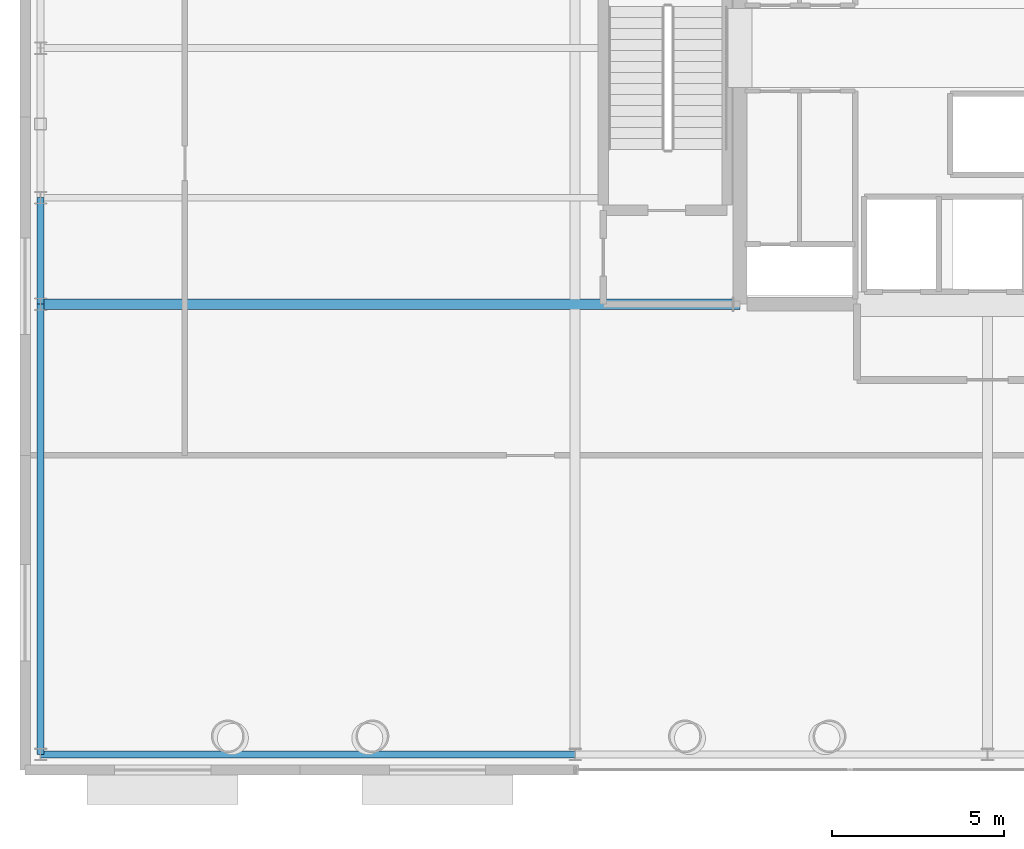
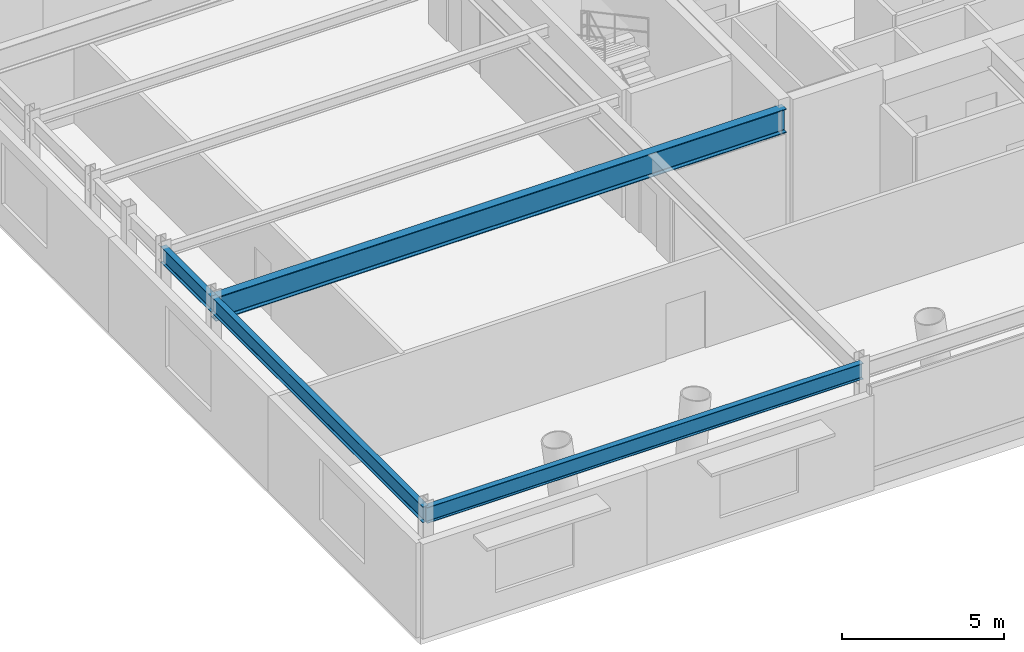
# One storey, part 5 of 26: 4 beams.
"""IFC4 building model written with IfcOpenShell, lengths in metres."""

from ifc_helpers import new_model, si_unit, direction, frame, origin, origin_2d, place, context, subcontext, project, spatial, i_section, extrude, material, material_profile, profile_set, type_object, element, save


model = new_model("IFC4")

# Units and contexts
model_context = context("Model", 3, precision=1e-05, world=origin(), true_north=direction((0.0, 1.0)))
body_context = subcontext(model_context, "Body", "Model", "MODEL_VIEW")
ifc_project = project(units=[si_unit("LENGTHUNIT", "METRE"), si_unit("AREAUNIT", "SQUARE_METRE"), si_unit("VOLUMEUNIT", "CUBIC_METRE"), si_unit("PLANEANGLEUNIT", "RADIAN"), si_unit("MASSUNIT", "GRAM", prefix="KILO")], contexts=[model_context])

# Site, building, storey
site_placement = place(None, origin())
site = spatial("IfcSite", under=ifc_project, at=site_placement, CompositionType="ELEMENT")
building_placement = place(site_placement, origin())
building = spatial("IfcBuilding", under=site, at=building_placement, Name="Veldorina Hangang Commons", CompositionType="ELEMENT")
storey_placement = place(building_placement, frame((0.0, 0.0, 10.0)))
storey = spatial("IfcBuildingStorey", under=building, at=storey_placement, Name="L02", CompositionType="ELEMENT", Elevation=10.0)

# Beams
ifc_material_1 = material(Name="Steel SM460-TMC", Category="steel")
ifc_material_profile_1 = material_profile(ifc_material_1, i_section(OverallWidth=0.300048828125, OverallDepth=0.89990234375, WebThickness=0.01611328125, FlangeThickness=0.028076171875, FilletRadius=0.02197265625, at=origin_2d()), Name="H-900x300x16x28")
ifc_profile_set_1 = profile_set([ifc_material_profile_1], Name="Steel SM460-TMC")
beam_type_1 = type_object("IfcBeamType", Name="BM-PG900", PredefinedType="BEAM", material=ifc_profile_set_1)
beam_1_placement = place(storey_placement, frame((4.449951171875, 16.550048828125, 4.050048828125), z_axis=(1.0, 0.0, 0.0), x_axis=(0.0, 1.0, 0.0)))
element("IfcBeam", 1, at=beam_1_placement, inside=storey, type_object=beam_type_1, Name="L02 west collector girder GD", PredefinedType="BEAM", context=body_context, shape_type="SweptSolid", body=[
    extrude(i_section(OverallWidth=0.300048828125, OverallDepth=0.89990234375, WebThickness=0.01611328125, FlangeThickness=0.028076171875, FilletRadius=0.02197265625, at=origin_2d()), origin(), (0.0, 0.0, 1.0), 20.35009765625),
])
ifc_material_2 = material(Name="Steel SM420-TMC", Category="steel")
ifc_material_profile_2 = material_profile(ifc_material_2, i_section(OverallWidth=0.199951171875, OverallDepth=0.60009765625, WebThickness=0.010986328125, FlangeThickness=0.01708984375, FilletRadius=0.01806640625, at=origin_2d()), Name="H-600x200x11x17")
ifc_profile_set_2 = profile_set([ifc_material_profile_2], Name="Steel SM420-TMC")
beam_type_2 = type_object("IfcBeamType", Name="BM-SPN600", PredefinedType="SPANDREL", material=ifc_profile_set_2)
beam_2_placement = place(storey_placement, frame((4.449951171875, 3.449951171875, 4.199951171875), z_axis=(1.0, 0.0, 0.0), x_axis=(0.0, 1.0, 0.0)))
element("IfcBeam", 2, at=beam_2_placement, inside=storey, type_object=beam_type_2, Name="L02 south spandrel beam 1", PredefinedType="SPANDREL", context=body_context, shape_type="SweptSolid", body=[
    extrude(i_section(OverallWidth=0.199951171875, OverallDepth=0.60009765625, WebThickness=0.010986328125, FlangeThickness=0.01708984375, FilletRadius=0.01806640625, at=origin_2d()), origin(), (0.0, 0.0, 1.0), 15.550048828125),
])
beam_3_placement = place(storey_placement, frame((4.449951171875, 3.449951171875, 4.199951171875), z_axis=(0.0, 1.0, 0.0), x_axis=(-1.0, 0.0, 0.0)))
element("IfcBeam", 3, at=beam_3_placement, inside=storey, type_object=beam_type_2, Name="L02 west spandrel beam 1", PredefinedType="SPANDREL", context=body_context, shape_type="SweptSolid", body=[
    extrude(i_section(OverallWidth=0.199951171875, OverallDepth=0.60009765625, WebThickness=0.010986328125, FlangeThickness=0.01708984375, FilletRadius=0.01806640625, at=origin_2d()), origin(), (0.0, 0.0, 1.0), 13.10009765625),
])
beam_4_placement = place(storey_placement, frame((4.449951171875, 16.550048828125, 4.199951171875), z_axis=(0.0, 1.0, 0.0), x_axis=(-1.0, 0.0, 0.0)))
element("IfcBeam", 4, at=beam_4_placement, inside=storey, type_object=beam_type_2, Name="L02 west spandrel beam 2", PredefinedType="SPANDREL", context=body_context, shape_type="SweptSolid", body=[
    extrude(i_section(OverallWidth=0.199951171875, OverallDepth=0.60009765625, WebThickness=0.010986328125, FlangeThickness=0.01708984375, FilletRadius=0.01806640625, at=origin_2d()), origin(), (0.0, 0.0, 1.0), 3.099853515625),
])

save(model, "model.ifc")
